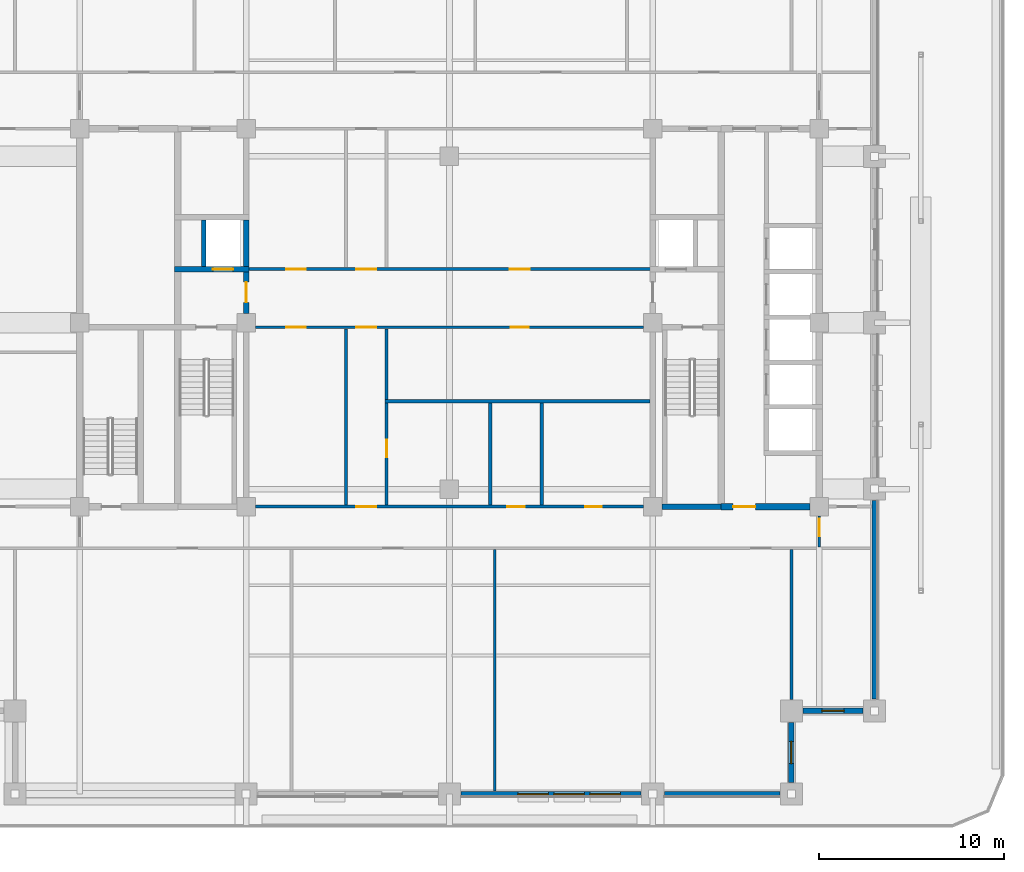
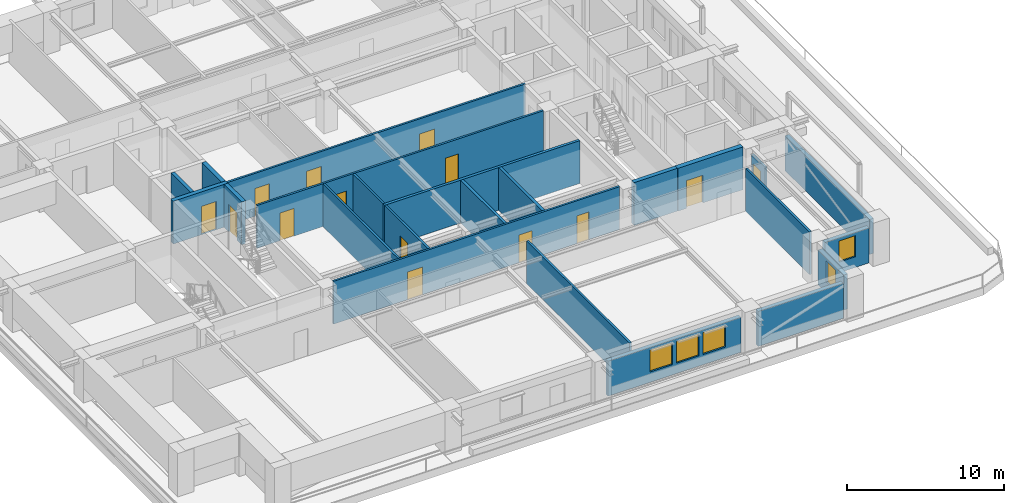
# One storey, part 6 of 17: 23 walls, 14 doors, 5 windows, 19 openings.
"""IFC4 building model written with IfcOpenShell, lengths in metres."""

from ifc_helpers import new_model, si_unit, direction, frame, frame_2d, origin, place, context, subcontext, project, spatial, rectangle, extrude, material, layer, layer_set, type_object, element, fill, save


model = new_model("IFC4")

# Units and contexts
model_context = context("Model", 3, precision=1e-05, world=origin(), true_north=direction((0.0, 1.0)))
body_context = subcontext(model_context, "Body", "Model", "MODEL_VIEW")
ifc_project = project(units=[si_unit("LENGTHUNIT", "METRE"), si_unit("AREAUNIT", "SQUARE_METRE"), si_unit("VOLUMEUNIT", "CUBIC_METRE"), si_unit("PLANEANGLEUNIT", "RADIAN"), si_unit("MASSUNIT", "GRAM", prefix="KILO")], contexts=[model_context])

# Site, building, storey
site_placement = place(None, origin())
site = spatial("IfcSite", under=ifc_project, at=site_placement, CompositionType="ELEMENT")
building_placement = place(site_placement, origin())
building = spatial("IfcBuilding", under=site, at=building_placement, Name="Zulmaris Gate Convention Tower", CompositionType="ELEMENT")
storey_placement = place(building_placement, frame((0.0, 0.0, 121.349853515625)))
storey = spatial("IfcBuildingStorey", under=building, at=storey_placement, Name="L30", CompositionType="ELEMENT", Elevation=121.349853515625)

# Walls
ifc_material_1 = material(Name="Concrete C50/60", Category="concrete")
ifc_layer_1 = layer(ifc_material_1, 0.25, Name="Concrete C50/60")
ifc_layer_set_1 = layer_set([ifc_layer_1], Name="Concrete C50/60")
wall_type_1 = type_object("IfcWallType", Name="CORE-250", PredefinedType="SOLIDWALL", material=ifc_layer_set_1)
wall_1_placement = place(storey_placement, frame((-13.300048828125, 3.052001953125, 0.0), z_axis=(0.0, 0.0, 1.0), x_axis=(0.0, 1.0, 0.0)))
element("IfcWall", 1, at=wall_1_placement, inside=storey, type_object=wall_type_1, Name="WL-L30-040", PredefinedType="SOLIDWALL", context=body_context, shape_type="SweptSolid", body=[
    extrude(rectangle(XDim=2.49609375, YDim=0.25, at=frame_2d((1.248046875, 0.0))), origin(), (0.0, 0.0, 1.0), 3.320068359375),
])
ifc_layer_2 = layer(ifc_material_1, 0.300048828125, Name="Concrete C50/60")
ifc_layer_set_2 = layer_set([ifc_layer_2], Name="Concrete C50/60")
wall_type_2 = type_object("IfcWallType", Name="CORE-300", PredefinedType="SHEAR", material=ifc_layer_set_2)
wall_2_placement = place(storey_placement, frame((11.50390625, -9.949951171875, 0.0), z_axis=(0.0, 0.0, 1.0), x_axis=(1.0, 0.0, 0.0)))
element("IfcWall", 2, at=wall_2_placement, inside=storey, type_object=wall_type_2, Name="WL-L30-003", PredefinedType="SHEAR", context=body_context, shape_type="SweptSolid", body=[
    extrude(rectangle(XDim=3.196044921875, YDim=0.300048828125, at=frame_2d((1.59814453125, 0.0))), origin(), (0.0, 0.0, 1.0), 3.320068359375),
])

# Wall, opening, door
wall_3_placement = place(storey_placement, frame((-14.875, 2.89990234375, 0.0), z_axis=(0.0, 0.0, 1.0), x_axis=(1.0, 0.0, 0.0)))
wall_3 = element("IfcWall", 3, at=wall_3_placement, inside=storey, type_object=wall_type_2, Name="WL-L30-012", PredefinedType="SHEAR", context=body_context, shape_type="SweptSolid", body=[
    extrude(rectangle(XDim=4.02490234375, YDim=0.300048828125, at=frame_2d((2.012451171875, 0.0))), origin(), (0.0, 0.0, 1.0), 3.320068359375),
])
opening_1_placement = place(wall_3_placement, frame((2.074951171875, 0.0, 0.0)))
opening_1 = element("IfcOpeningElement", 4, at=opening_1_placement, cuts=wall_3, Name="Opening D-06", PredefinedType="OPENING", context=body_context, shape_type="SweptSolid", body=[
    extrude(rectangle(XDim=1.10009765625, YDim=2.199951171875, at=frame_2d((0.550048828125, 1.10009765625))), frame((0.0, 0.16015625, 0.0), z_axis=(0.0, -1.0, 0.0), x_axis=(1.0, 0.0, 0.0)), (0.0, 0.0, 1.0), 0.320068359375),
])
ifc_material_2 = material(Name="Brushed Stainless Steel", Category="steel")
door_type_1 = type_object("IfcDoorType", Name="LD-1100", OperationType="NOTDEFINED", PredefinedType="DOOR", material=ifc_material_2)
door_1_placement = place(opening_1_placement, origin())
door_1 = element("IfcDoor", 5, at=door_1_placement, inside=storey, type_object=door_type_1, Name="L30 Lift Landing Door LF-01 03", OperationType="SLIDING_TO_LEFT", OverallHeight=2.199951171875, OverallWidth=1.10009765625, PredefinedType="DOOR", context=body_context, shape_type="SweptSolid", body=[
    extrude(rectangle(XDim=1.10009765625, YDim=2.199951171875, at=frame_2d((0.550048828125, 1.10009765625))), frame((0.0, 0.02490234375, 0.0), z_axis=(0.0, -1.0, 0.0), x_axis=(1.0, 0.0, 0.0)), (0.0, 0.0, 1.0), 0.050048828125),
])
fill(opening_1, door_1)

wall_4_placement = place(storey_placement, frame((-11.0, 0.50390625, 0.0), z_axis=(0.0, 0.0, 1.0), x_axis=(0.0, 1.0, 0.0)))
wall_4 = element("IfcWall", 6, at=wall_4_placement, inside=storey, type_object=wall_type_2, Name="WL-L30-043", PredefinedType="SHEAR", context=body_context, shape_type="SweptSolid", body=[
    extrude(rectangle(XDim=2.244140625, YDim=0.300048828125, at=frame_2d((1.1220703125, 0.0))), origin(), (0.0, 0.0, 1.0), 3.320068359375),
])
opening_2_placement = place(wall_4_placement, frame((0.595947265625, 0.0, 0.0)))
opening_2 = element("IfcOpeningElement", 7, at=opening_2_placement, cuts=wall_4, Name="Opening D-08", PredefinedType="OPENING", context=body_context, shape_type="SweptSolid", body=[
    extrude(rectangle(XDim=1.10009765625, YDim=2.14990234375, at=frame_2d((0.550048828125, 1.074951171875))), frame((0.0, 0.16015625, 0.0), z_axis=(0.0, -1.0, 0.0), x_axis=(1.0, 0.0, 0.0)), (0.0, 0.0, 1.0), 0.320068359375),
])
ifc_material_3 = material(Name="Fire-Rated Steel", Category="steel")
door_type_2 = type_object("IfcDoorType", Name="DR-1100-FD", OperationType="NOTDEFINED", PredefinedType="DOOR", material=ifc_material_3)
door_2_placement = place(opening_2_placement, origin())
door_2 = element("IfcDoor", 8, at=door_2_placement, inside=storey, type_object=door_type_2, Name="L30 West Firefighting Lobby Door 02", OperationType="SINGLE_SWING_RIGHT", OverallHeight=2.14990234375, OverallWidth=1.10009765625, PredefinedType="DOOR", context=body_context, shape_type="SweptSolid", body=[
    extrude(rectangle(XDim=1.10009765625, YDim=2.14990234375, at=frame_2d((0.550048828125, 1.074951171875))), frame((0.0, 0.02490234375, 0.0), z_axis=(0.0, -1.0, 0.0), x_axis=(1.0, 0.0, 0.0)), (0.0, 0.0, 1.0), 0.050048828125),
])
fill(opening_2, door_2)

# Wall
wall_5_placement = place(storey_placement, frame((-11.0, 3.052001953125, 0.0), z_axis=(0.0, 0.0, 1.0), x_axis=(0.0, 1.0, 0.0)))
element("IfcWall", 9, at=wall_5_placement, inside=storey, type_object=wall_type_2, Name="WL-L30-044", PredefinedType="SHEAR", context=body_context, shape_type="SweptSolid", body=[
    extrude(rectangle(XDim=2.49609375, YDim=0.300048828125, at=frame_2d((1.248046875, 0.0))), origin(), (0.0, 0.0, 1.0), 3.320068359375),
])

# Wall, opening, door
ifc_material_4 = material(Name="Concrete C55/67", Category="concrete")
ifc_layer_3 = layer(ifc_material_4, 0.35009765625, Name="Concrete C55/67")
ifc_layer_set_3 = layer_set([ifc_layer_3], Name="Concrete C55/67")
wall_type_3 = type_object("IfcWallType", Name="CORE-350", PredefinedType="SHEAR", material=ifc_layer_set_3)
wall_6_placement = place(storey_placement, frame((14.699951171875, -9.949951171875, 0.0), z_axis=(0.0, 0.0, 1.0), x_axis=(1.0, 0.0, 0.0)))
wall_6 = element("IfcWall", 10, at=wall_6_placement, inside=storey, type_object=wall_type_3, Name="WL-L30-004", PredefinedType="SHEAR", context=body_context, shape_type="SweptSolid", body=[
    extrude(rectangle(XDim=4.796142578125, YDim=0.35009765625, at=frame_2d((2.39794921875, 0.0))), origin(), (0.0, 0.0, 1.0), 3.320068359375),
])
opening_3_placement = place(wall_6_placement, frame((0.64990234375, 0.0, 0.0)))
opening_3 = element("IfcOpeningElement", 11, at=opening_3_placement, cuts=wall_6, Name="Opening D-13", PredefinedType="OPENING", context=body_context, shape_type="SweptSolid", body=[
    extrude(rectangle(XDim=1.199951171875, YDim=2.14990234375, at=frame_2d((0.60009765625, 1.074951171875))), frame((0.0, 0.18505859375, 0.0), z_axis=(0.0, -1.0, 0.0), x_axis=(1.0, 0.0, 0.0)), (0.0, 0.0, 1.0), 0.3701171875),
])
door_type_3 = type_object("IfcDoorType", Name="DR-1200-FD", OperationType="NOTDEFINED", PredefinedType="DOOR", material=ifc_material_3)
door_3_placement = place(opening_3_placement, origin())
door_3 = element("IfcDoor", 12, at=door_3_placement, inside=storey, type_object=door_type_3, Name="L30 East Lift Lobby South Door 15", OperationType="SINGLE_SWING_LEFT", OverallHeight=2.14990234375, OverallWidth=1.199951171875, PredefinedType="DOOR", context=body_context, shape_type="SweptSolid", body=[
    extrude(rectangle(XDim=1.199951171875, YDim=2.14990234375, at=frame_2d((0.60009765625, 1.074951171875))), frame((0.0, 0.02490234375, 0.0), z_axis=(0.0, -1.0, 0.0), x_axis=(1.0, 0.0, 0.0)), (0.0, 0.0, 1.0), 0.050048828125),
])
fill(opening_3, door_3)

# Wall, openings, doors
ifc_material_5 = material(Name="Gypsum Metal Stud Partition")
ifc_layer_4 = layer(ifc_material_5, 0.14990234375, Name="Gypsum Metal Stud Partition")
ifc_layer_set_4 = layer_set([ifc_layer_4], Name="Gypsum Metal Stud Partition")
wall_type_4 = type_object("IfcWallType", Name="PART-150", PredefinedType="PARTITIONING", material=ifc_layer_set_4)
wall_7_placement = place(storey_placement, frame((-10.493896484375, -9.949951171875, 0.0), z_axis=(0.0, 0.0, 1.0), x_axis=(1.0, 0.0, 0.0)))
wall_7 = element("IfcWall", 13, at=wall_7_placement, inside=storey, type_object=wall_type_4, Name="WL-L30-023", PredefinedType="PARTITIONING", context=body_context, shape_type="SweptSolid", body=[
    extrude(rectangle(XDim=20.98779296875, YDim=0.14990234375, at=frame_2d((10.493896484375, 0.0))), origin(), (0.0, 0.0, 1.0), 3.320068359375),
])
opening_4_placement = place(wall_7_placement, frame((5.444091796875, 0.0, 0.0)))
opening_4 = element("IfcOpeningElement", 14, at=opening_4_placement, cuts=wall_7, Name="Opening D-08", PredefinedType="OPENING", context=body_context, shape_type="SweptSolid", body=[
    extrude(rectangle(XDim=1.10009765625, YDim=2.14990234375, at=frame_2d((0.550048828125, 1.074951171875))), frame((0.0, 0.0849609375, 0.0), z_axis=(0.0, -1.0, 0.0), x_axis=(1.0, 0.0, 0.0)), (0.0, 0.0, 1.0), 0.169921875),
])
opening_5_placement = place(wall_7_placement, frame((13.618896484375, 0.0, 0.0)))
opening_5 = element("IfcOpeningElement", 15, at=opening_5_placement, cuts=wall_7, Name="Opening D-11", PredefinedType="OPENING", context=body_context, shape_type="SweptSolid", body=[
    extrude(rectangle(XDim=0.949951171875, YDim=2.14990234375, at=frame_2d((0.47509765625, 1.074951171875))), frame((0.0, 0.0849609375, 0.0), z_axis=(0.0, -1.0, 0.0), x_axis=(1.0, 0.0, 0.0)), (0.0, 0.0, 1.0), 0.169921875),
])
opening_6_placement = place(wall_7_placement, frame((17.843994140625, 0.0, 0.0)))
opening_6 = element("IfcOpeningElement", 16, at=opening_6_placement, cuts=wall_7, Name="Opening D-12", PredefinedType="OPENING", context=body_context, shape_type="SweptSolid", body=[
    extrude(rectangle(XDim=0.89990234375, YDim=2.14990234375, at=frame_2d((0.449951171875, 1.074951171875))), frame((0.0, 0.0849609375, 0.0), z_axis=(0.0, -1.0, 0.0), x_axis=(1.0, 0.0, 0.0)), (0.0, 0.0, 1.0), 0.169921875),
])
door_4_placement = place(opening_4_placement, origin())
door_4 = element("IfcDoor", 17, at=door_4_placement, inside=storey, type_object=door_type_2, Name="L30 South Gallery Link Door 19", OperationType="SINGLE_SWING_LEFT", OverallHeight=2.14990234375, OverallWidth=1.10009765625, PredefinedType="DOOR", context=body_context, shape_type="SweptSolid", body=[
    extrude(rectangle(XDim=1.10009765625, YDim=2.14990234375, at=frame_2d((0.550048828125, 1.074951171875))), frame((0.0, 0.02490234375, 0.0), z_axis=(0.0, -1.0, 0.0), x_axis=(1.0, 0.0, 0.0)), (0.0, 0.0, 1.0), 0.050048828125),
])
fill(opening_4, door_4)
ifc_material_6 = material(Name="Fire-Rated Timber", Category="wood")
door_type_4 = type_object("IfcDoorType", Name="DR-900-FD", OperationType="NOTDEFINED", PredefinedType="DOOR", material=ifc_material_6)
door_5_placement = place(opening_6_placement, origin())
door_5 = element("IfcDoor", 18, at=door_5_placement, inside=storey, type_object=door_type_4, Name="L30 Reprographics Office Door 36", OperationType="SINGLE_SWING_RIGHT", OverallHeight=2.14990234375, OverallWidth=0.89990234375, PredefinedType="DOOR", context=body_context, shape_type="SweptSolid", body=[
    extrude(rectangle(XDim=0.89990234375, YDim=2.14990234375, at=frame_2d((0.449951171875, 1.074951171875))), frame((0.0, 0.02490234375, 0.0), z_axis=(0.0, -1.0, 0.0), x_axis=(1.0, 0.0, 0.0)), (0.0, 0.0, 1.0), 0.050048828125),
])
fill(opening_6, door_5)
door_type_5 = type_object("IfcDoorType", Name="DR-950-FD", OperationType="NOTDEFINED", PredefinedType="DOOR", material=ifc_material_6)
door_6_placement = place(opening_5_placement, origin())
door_6 = element("IfcDoor", 19, at=door_6_placement, inside=storey, type_object=door_type_5, Name="L30 Accessible WC Door 35", OperationType="SINGLE_SWING_LEFT", OverallHeight=2.14990234375, OverallWidth=0.949951171875, PredefinedType="DOOR", context=body_context, shape_type="SweptSolid", body=[
    extrude(rectangle(XDim=0.949951171875, YDim=2.14990234375, at=frame_2d((0.47509765625, 1.074951171875))), frame((0.0, 0.02490234375, 0.0), z_axis=(0.0, -1.0, 0.0), x_axis=(1.0, 0.0, 0.0)), (0.0, 0.0, 1.0), 0.050048828125),
])
fill(opening_5, door_6)

wall_8_placement = place(storey_placement, frame((-10.493896484375, -0.25, 0.0), z_axis=(0.0, 0.0, 1.0), x_axis=(1.0, 0.0, 0.0)))
wall_8 = element("IfcWall", 20, at=wall_8_placement, inside=storey, type_object=wall_type_4, Name="WL-L30-027", PredefinedType="PARTITIONING", context=body_context, shape_type="SweptSolid", body=[
    extrude(rectangle(XDim=20.98779296875, YDim=0.14990234375, at=frame_2d((10.493896484375, 0.0))), origin(), (0.0, 0.0, 1.0), 3.320068359375),
])
opening_7_placement = place(wall_8_placement, frame((5.444091796875, 0.0, 0.0)))
opening_7 = element("IfcOpeningElement", 21, at=opening_7_placement, cuts=wall_8, Name="Opening D-08", PredefinedType="OPENING", context=body_context, shape_type="SweptSolid", body=[
    extrude(rectangle(XDim=1.10009765625, YDim=2.14990234375, at=frame_2d((0.550048828125, 1.074951171875))), frame((0.0, 0.0849609375, 0.0), z_axis=(0.0, -1.0, 0.0), x_axis=(1.0, 0.0, 0.0)), (0.0, 0.0, 1.0), 0.169921875),
])
opening_8_placement = place(wall_8_placement, frame((1.6689453125, 0.0, 0.0)))
opening_8 = element("IfcOpeningElement", 22, at=opening_8_placement, cuts=wall_8, Name="Opening D-09", PredefinedType="OPENING", context=body_context, shape_type="SweptSolid", body=[
    extrude(rectangle(XDim=1.050048828125, YDim=2.14990234375, at=frame_2d((0.52490234375, 1.074951171875))), frame((0.0, 0.0849609375, 0.0), z_axis=(0.0, -1.0, 0.0), x_axis=(1.0, 0.0, 0.0)), (0.0, 0.0, 1.0), 0.169921875),
])
opening_9_placement = place(wall_8_placement, frame((13.819091796875, 0.0, 0.0)))
opening_9 = element("IfcOpeningElement", 23, at=opening_9_placement, cuts=wall_8, Name="Opening D-11", PredefinedType="OPENING", context=body_context, shape_type="SweptSolid", body=[
    extrude(rectangle(XDim=0.949951171875, YDim=2.14990234375, at=frame_2d((0.47509765625, 1.074951171875))), frame((0.0, 0.0849609375, 0.0), z_axis=(0.0, -1.0, 0.0), x_axis=(1.0, 0.0, 0.0)), (0.0, 0.0, 1.0), 0.169921875),
])
door_type_6 = type_object("IfcDoorType", Name="DR-1050-FD", OperationType="NOTDEFINED", PredefinedType="DOOR", material=ifc_material_3)
door_7_placement = place(opening_8_placement, origin())
door_7 = element("IfcDoor", 24, at=door_7_placement, inside=storey, type_object=door_type_6, Name="L30 Sky Library Door 32", OperationType="SINGLE_SWING_RIGHT", OverallHeight=2.14990234375, OverallWidth=1.050048828125, PredefinedType="DOOR", context=body_context, shape_type="SweptSolid", body=[
    extrude(rectangle(XDim=1.050048828125, YDim=2.14990234375, at=frame_2d((0.52490234375, 1.074951171875))), frame((0.0, 0.02490234375, 0.0), z_axis=(0.0, -1.0, 0.0), x_axis=(1.0, 0.0, 0.0)), (0.0, 0.0, 1.0), 0.050048828125),
])
fill(opening_8, door_7)
door_8_placement = place(opening_7_placement, origin())
door_8 = element("IfcDoor", 25, at=door_8_placement, inside=storey, type_object=door_type_2, Name="L30 Cross Spine South Door 21", OperationType="SINGLE_SWING_LEFT", OverallHeight=2.14990234375, OverallWidth=1.10009765625, PredefinedType="DOOR", context=body_context, shape_type="SweptSolid", body=[
    extrude(rectangle(XDim=1.10009765625, YDim=2.14990234375, at=frame_2d((0.550048828125, 1.074951171875))), frame((0.0, 0.02490234375, 0.0), z_axis=(0.0, -1.0, 0.0), x_axis=(1.0, 0.0, 0.0)), (0.0, 0.0, 1.0), 0.050048828125),
])
fill(opening_7, door_8)
door_9_placement = place(opening_9_placement, origin())
door_9 = element("IfcDoor", 26, at=door_9_placement, inside=storey, type_object=door_type_5, Name="L30 Public WC Door 33", OperationType="SINGLE_SWING_LEFT", OverallHeight=2.14990234375, OverallWidth=0.949951171875, PredefinedType="DOOR", context=body_context, shape_type="SweptSolid", body=[
    extrude(rectangle(XDim=0.949951171875, YDim=2.14990234375, at=frame_2d((0.47509765625, 1.074951171875))), frame((0.0, 0.02490234375, 0.0), z_axis=(0.0, -1.0, 0.0), x_axis=(1.0, 0.0, 0.0)), (0.0, 0.0, 1.0), 0.050048828125),
])
fill(opening_9, door_9)

wall_9_placement = place(storey_placement, frame((-11.0, 2.89990234375, 0.0), z_axis=(0.0, 0.0, 1.0), x_axis=(1.0, 0.0, 0.0)))
wall_9 = element("IfcWall", 27, at=wall_9_placement, inside=storey, type_object=wall_type_4, Name="WL-L30-028", PredefinedType="PARTITIONING", context=body_context, shape_type="SweptSolid", body=[
    extrude(rectangle(XDim=22.0, YDim=0.14990234375, at=frame_2d((11.0, 0.0))), origin(), (0.0, 0.0, 1.0), 3.320068359375),
])
opening_10_placement = place(wall_9_placement, frame((5.949951171875, 0.0, 0.0)))
opening_10 = element("IfcOpeningElement", 28, at=opening_10_placement, cuts=wall_9, Name="Opening D-08", PredefinedType="OPENING", context=body_context, shape_type="SweptSolid", body=[
    extrude(rectangle(XDim=1.10009765625, YDim=2.14990234375, at=frame_2d((0.550048828125, 1.074951171875))), frame((0.0, 0.0849609375, 0.0), z_axis=(0.0, -1.0, 0.0), x_axis=(1.0, 0.0, 0.0)), (0.0, 0.0, 1.0), 0.169921875),
])
opening_11_placement = place(wall_9_placement, frame((2.175048828125, 0.0, 0.0)))
opening_11 = element("IfcOpeningElement", 29, at=opening_11_placement, cuts=wall_9, Name="Opening D-09", PredefinedType="OPENING", context=body_context, shape_type="SweptSolid", body=[
    extrude(rectangle(XDim=1.050048828125, YDim=2.14990234375, at=frame_2d((0.52490234375, 1.074951171875))), frame((0.0, 0.0849609375, 0.0), z_axis=(0.0, -1.0, 0.0), x_axis=(1.0, 0.0, 0.0)), (0.0, 0.0, 1.0), 0.169921875),
])
opening_12_placement = place(wall_9_placement, frame((14.25, 0.0, 0.0)))
opening_12 = element("IfcOpeningElement", 30, at=opening_12_placement, cuts=wall_9, Name="Opening D-08", PredefinedType="OPENING", context=body_context, shape_type="SweptSolid", body=[
    extrude(rectangle(XDim=1.10009765625, YDim=2.14990234375, at=frame_2d((0.550048828125, 1.074951171875))), frame((0.0, 0.0849609375, 0.0), z_axis=(0.0, -1.0, 0.0), x_axis=(1.0, 0.0, 0.0)), (0.0, 0.0, 1.0), 0.169921875),
])
door_10_placement = place(opening_11_placement, origin())
door_10 = element("IfcDoor", 31, at=door_10_placement, inside=storey, type_object=door_type_6, Name="L30 Reception Door 30", OperationType="SINGLE_SWING_RIGHT", OverallHeight=2.14990234375, OverallWidth=1.050048828125, PredefinedType="DOOR", context=body_context, shape_type="SweptSolid", body=[
    extrude(rectangle(XDim=1.050048828125, YDim=2.14990234375, at=frame_2d((0.52490234375, 1.074951171875))), frame((0.0, 0.02490234375, 0.0), z_axis=(0.0, -1.0, 0.0), x_axis=(1.0, 0.0, 0.0)), (0.0, 0.0, 1.0), 0.050048828125),
])
fill(opening_11, door_10)
door_11_placement = place(opening_10_placement, origin())
door_11 = element("IfcDoor", 32, at=door_11_placement, inside=storey, type_object=door_type_2, Name="L30 Cross Spine North Door 20", OperationType="SINGLE_SWING_RIGHT", OverallHeight=2.14990234375, OverallWidth=1.10009765625, PredefinedType="DOOR", context=body_context, shape_type="SweptSolid", body=[
    extrude(rectangle(XDim=1.10009765625, YDim=2.14990234375, at=frame_2d((0.550048828125, 1.074951171875))), frame((0.0, 0.02490234375, 0.0), z_axis=(0.0, -1.0, 0.0), x_axis=(1.0, 0.0, 0.0)), (0.0, 0.0, 1.0), 0.050048828125),
])
fill(opening_10, door_11)
door_12_placement = place(opening_12_placement, origin())
door_12 = element("IfcDoor", 33, at=door_12_placement, inside=storey, type_object=door_type_2, Name="L30 Townhall Forum Door 31", OperationType="SINGLE_SWING_LEFT", OverallHeight=2.14990234375, OverallWidth=1.10009765625, PredefinedType="DOOR", context=body_context, shape_type="SweptSolid", body=[
    extrude(rectangle(XDim=1.10009765625, YDim=2.14990234375, at=frame_2d((0.550048828125, 1.074951171875))), frame((0.0, 0.02490234375, 0.0), z_axis=(0.0, -1.0, 0.0), x_axis=(1.0, 0.0, 0.0)), (0.0, 0.0, 1.0), 0.050048828125),
])
fill(opening_12, door_12)

# Wall
wall_10_placement = place(storey_placement, frame((-5.60009765625, -9.8720703125, 0.0), z_axis=(0.0, 0.0, 1.0), x_axis=(0.0, 1.0, 0.0)))
element("IfcWall", 34, at=wall_10_placement, inside=storey, type_object=wall_type_4, Name="WL-L30-075", PredefinedType="PARTITIONING", context=body_context, shape_type="SweptSolid", body=[
    extrude(rectangle(XDim=9.544189453125, YDim=0.14990234375, at=frame_2d((4.77197265625, 0.0))), origin(), (0.0, 0.0, 1.0), 3.320068359375),
])

# Wall, opening, door
wall_11_placement = place(storey_placement, frame((-3.39990234375, -9.8720703125, 0.0), z_axis=(0.0, 0.0, 1.0), x_axis=(0.0, 1.0, 0.0)))
wall_11 = element("IfcWall", 35, at=wall_11_placement, inside=storey, type_object=wall_type_4, Name="WL-L30-077", PredefinedType="PARTITIONING", context=body_context, shape_type="SweptSolid", body=[
    extrude(rectangle(XDim=5.51904296875, YDim=0.14990234375, at=frame_2d((2.759521484375, 0.0))), origin(), (0.0, 0.0, 1.0), 3.320068359375),
])
opening_13_placement = place(wall_11_placement, frame((2.596923828125, 0.0, 0.0)))
opening_13 = element("IfcOpeningElement", 36, at=opening_13_placement, cuts=wall_11, Name="Opening D-11", PredefinedType="OPENING", context=body_context, shape_type="SweptSolid", body=[
    extrude(rectangle(XDim=0.949951171875, YDim=2.14990234375, at=frame_2d((0.47509765625, 1.074951171875))), frame((0.0, 0.0849609375, 0.0), z_axis=(0.0, -1.0, 0.0), x_axis=(1.0, 0.0, 0.0)), (0.0, 0.0, 1.0), 0.169921875),
])
door_13_placement = place(opening_13_placement, origin())
door_13 = element("IfcDoor", 37, at=door_13_placement, inside=storey, type_object=door_type_5, Name="L30 Hygiene Supply Door 34", OperationType="SINGLE_SWING_RIGHT", OverallHeight=2.14990234375, OverallWidth=0.949951171875, PredefinedType="DOOR", context=body_context, shape_type="SweptSolid", body=[
    extrude(rectangle(XDim=0.949951171875, YDim=2.14990234375, at=frame_2d((0.47509765625, 1.074951171875))), frame((0.0, 0.02490234375, 0.0), z_axis=(0.0, -1.0, 0.0), x_axis=(1.0, 0.0, 0.0)), (0.0, 0.0, 1.0), 0.050048828125),
])
fill(opening_13, door_13)

# Walls
wall_12_placement = place(storey_placement, frame((-3.39990234375, -4.14697265625, 0.0), z_axis=(0.0, 0.0, 1.0), x_axis=(0.0, 1.0, 0.0)))
element("IfcWall", 38, at=wall_12_placement, inside=storey, type_object=wall_type_4, Name="WL-L30-078", PredefinedType="PARTITIONING", context=body_context, shape_type="SweptSolid", body=[
    extrude(rectangle(XDim=3.819091796875, YDim=0.14990234375, at=frame_2d((1.90966796875, 0.0))), origin(), (0.0, 0.0, 1.0), 3.320068359375),
])
wall_13_placement = place(storey_placement, frame((2.449951171875, -25.3349609375, 0.0), z_axis=(0.0, 0.0, 1.0), x_axis=(0.0, 1.0, 0.0)))
element("IfcWall", 39, at=wall_13_placement, inside=storey, type_object=wall_type_4, Name="WL-L30-082", PredefinedType="PARTITIONING", context=body_context, shape_type="SweptSolid", body=[
    extrude(rectangle(XDim=13.056884765625, YDim=0.14990234375, at=frame_2d((6.5283203125, 0.0))), origin(), (0.0, 0.0, 1.0), 3.320068359375),
])
wall_14_placement = place(storey_placement, frame((18.5, -20.39404296875, 0.0), z_axis=(0.0, 0.0, 1.0), x_axis=(0.0, 1.0, 0.0)))
element("IfcWall", 40, at=wall_14_placement, inside=storey, type_object=wall_type_4, Name="WL-L30-086", PredefinedType="PARTITIONING", context=body_context, shape_type="SweptSolid", body=[
    extrude(rectangle(XDim=8.115966796875, YDim=0.14990234375, at=frame_2d((4.05810546875, 0.0))), origin(), (0.0, 0.0, 1.0), 3.320068359375),
])

# Wall, opening, door
wall_15_placement = place(storey_placement, frame((20.0, -12.1220703125, 0.0), z_axis=(0.0, 0.0, 1.0), x_axis=(0.0, 1.0, 0.0)))
wall_15 = element("IfcWall", 41, at=wall_15_placement, inside=storey, type_object=wall_type_4, Name="WL-L30-088", PredefinedType="PARTITIONING", context=body_context, shape_type="SweptSolid", body=[
    extrude(rectangle(XDim=1.666015625, YDim=0.14990234375, at=frame_2d((0.8330078125, 0.0))), origin(), (0.0, 0.0, 1.0), 2.81005859375),
])
opening_14_placement = place(wall_15_placement, frame((0.56591796875, 0.0, 0.0)))
opening_14 = element("IfcOpeningElement", 42, at=opening_14_placement, cuts=wall_15, Name="Opening D-11", PredefinedType="OPENING", context=body_context, shape_type="SweptSolid", body=[
    extrude(rectangle(XDim=0.949951171875, YDim=2.14990234375, at=frame_2d((0.47509765625, 1.074951171875))), frame((0.0, 0.0849609375, 0.0), z_axis=(0.0, -1.0, 0.0), x_axis=(1.0, 0.0, 0.0)), (0.0, 0.0, 1.0), 0.169921875),
])
door_14_placement = place(opening_14_placement, origin())
door_14 = element("IfcDoor", 43, at=door_14_placement, inside=storey, type_object=door_type_5, Name="L30 SE Spur Door 42", OperationType="SINGLE_SWING_RIGHT", OverallHeight=2.14990234375, OverallWidth=0.949951171875, PredefinedType="DOOR", context=body_context, shape_type="SweptSolid", body=[
    extrude(rectangle(XDim=0.949951171875, YDim=2.14990234375, at=frame_2d((0.47509765625, 1.074951171875))), frame((0.0, 0.02490234375, 0.0), z_axis=(0.0, -1.0, 0.0), x_axis=(1.0, 0.0, 0.0)), (0.0, 0.0, 1.0), 0.050048828125),
])
fill(opening_14, door_14)

# Walls
ifc_material_7 = material(Name="Autoclaved Aerated Concrete Block and Plasterboard", Category="concrete")
ifc_layer_5 = layer(ifc_material_7, 0.199951171875, Name="Autoclaved Aerated Concrete Block and Plasterboard")
ifc_layer_set_5 = layer_set([ifc_layer_5], Name="Autoclaved Aerated Concrete Block and Plasterboard")
wall_type_5 = type_object("IfcWallType", Name="PART-200", PredefinedType="PARTITIONING", material=ifc_layer_set_5)
wall_16_placement = place(storey_placement, frame((-3.47509765625, -4.25, 0.0), z_axis=(0.0, 0.0, 1.0), x_axis=(1.0, 0.0, 0.0)))
element("IfcWall", 44, at=wall_16_placement, inside=storey, type_object=wall_type_5, Name="WL-L30-025", PredefinedType="PARTITIONING", context=body_context, shape_type="SweptSolid", body=[
    extrude(rectangle(XDim=14.322021484375, YDim=0.199951171875, at=frame_2d((7.1611328125, 0.0))), origin(), (0.0, 0.0, 1.0), 3.320068359375),
])
for number, where, z_axis, x_axis, name in (
    (45, (2.199951171875, -9.8720703125, 0.0), (0.0, 0.0, 1.0), (0.0, 1.0, 0.0), "WL-L30-081"),
    (46, (5.0, -9.8720703125, 0.0), (0.0, 0.0, 1.0), (0.0, 1.0, 0.0), "WL-L30-083"),
):
    element("IfcWall", number, at=place(storey_placement, frame(where, z_axis=z_axis, x_axis=x_axis)), inside=storey, type_object=wall_type_5, Name=name, PredefinedType="PARTITIONING", context=body_context, shape_type="SweptSolid", body=[
        extrude(rectangle(XDim=5.51904296875, YDim=0.199951171875, at=frame_2d((2.759521484375, 0.0))), origin(), (0.0, 0.0, 1.0), 3.320068359375),
    ])

# Wall, opening, window
ifc_material_8 = material(Name="Precast concrete C40/50", Category="concrete")
ifc_layer_6 = layer(ifc_material_8, 0.300048828125, Name="Precast concrete C40/50")
ifc_layer_set_6 = layer_set([ifc_layer_6], Name="Precast concrete C40/50")
wall_type_6 = type_object("IfcWallType", Name="PRECAST-PIER-300", PredefinedType="STANDARD", material=ifc_layer_set_6)
wall_17_placement = place(storey_placement, frame((18.5, -24.8701171875, 0.0), z_axis=(0.0, 0.0, 1.0), x_axis=(0.0, 1.0, 0.0)))
wall_17 = element("IfcWall", 47, at=wall_17_placement, inside=storey, type_object=wall_type_6, Name="EW-L30-NOTCH-SE1_0", PredefinedType="STANDARD", context=body_context, shape_type="SweptSolid", body=[
    extrude(rectangle(XDim=3.240234375, YDim=0.300048828125, at=frame_2d((1.6201171875, 0.0))), origin(), (0.0, 0.0, 1.0), 2.712158203125),
])
opening_15_placement = place(wall_17_placement, frame((1.02001953125, 0.0, 0.820068359375)))
opening_15 = element("IfcOpeningElement", 48, at=opening_15_placement, cuts=wall_17, Name="Opening W-04", PredefinedType="OPENING", context=body_context, shape_type="SweptSolid", body=[
    extrude(rectangle(XDim=1.199951171875, YDim=1.64990234375, at=frame_2d((0.60009765625, 0.824951171875))), frame((0.0, 0.16015625, 0.0), z_axis=(0.0, -1.0, 0.0), x_axis=(1.0, 0.0, 0.0)), (0.0, 0.0, 1.0), 0.320068359375),
])
ifc_material_9 = material(Name="Low-E Laminated Double Glazing in Aluminium Frame", Category="aluminium")
window_type_1 = type_object("IfcWindowType", Name="WIN-1200x2100", PartitioningType="SINGLE_PANEL", PredefinedType="WINDOW", material=ifc_material_9)
window_1_placement = place(opening_15_placement, origin())
window_1 = element("IfcWindow", 49, at=window_1_placement, inside=storey, type_object=window_type_1, Name="WN-EW-L30-NOTCH-SE1_0", OverallHeight=1.64990234375, OverallWidth=1.199951171875, PartitioningType="SINGLE_PANEL", PredefinedType="WINDOW", context=body_context, shape_type="SweptSolid", body=[
    extrude(rectangle(XDim=1.199951171875, YDim=1.64990234375, at=frame_2d((0.60009765625, 0.824951171875))), frame((0.0, 0.030029296875, 0.0), z_axis=(0.0, -1.0, 0.0), x_axis=(1.0, 0.0, 0.0)), (0.0, 0.0, 1.0), 0.06005859375),
])
fill(opening_15, window_1)

wall_18_placement = place(storey_placement, frame((19.1298828125, -21.0, 0.0), z_axis=(0.0, 0.0, 1.0), x_axis=(1.0, 0.0, 0.0)))
wall_18 = element("IfcWall", 50, at=wall_18_placement, inside=storey, type_object=wall_type_6, Name="EW-L30-NOTCH-SE2_0", PredefinedType="STANDARD", context=body_context, shape_type="SweptSolid", body=[
    extrude(rectangle(XDim=3.240234375, YDim=0.300048828125, at=frame_2d((1.6201171875, 0.0))), origin(), (0.0, 0.0, 1.0), 2.712158203125),
])
opening_16_placement = place(wall_18_placement, frame((1.02001953125, 0.0, 0.820068359375)))
opening_16 = element("IfcOpeningElement", 51, at=opening_16_placement, cuts=wall_18, Name="Opening W-04", PredefinedType="OPENING", context=body_context, shape_type="SweptSolid", body=[
    extrude(rectangle(XDim=1.199951171875, YDim=1.64990234375, at=frame_2d((0.60009765625, 0.824951171875))), frame((0.0, 0.16015625, 0.0), z_axis=(0.0, -1.0, 0.0), x_axis=(1.0, 0.0, 0.0)), (0.0, 0.0, 1.0), 0.320068359375),
])
window_2_placement = place(opening_16_placement, origin())
window_2 = element("IfcWindow", 52, at=window_2_placement, inside=storey, type_object=window_type_1, Name="WN-EW-L30-NOTCH-SE2_0", OverallHeight=1.64990234375, OverallWidth=1.199951171875, PartitioningType="SINGLE_PANEL", PredefinedType="WINDOW", context=body_context, shape_type="SweptSolid", body=[
    extrude(rectangle(XDim=1.199951171875, YDim=1.64990234375, at=frame_2d((0.60009765625, 0.824951171875))), frame((0.0, 0.030029296875, 0.0), z_axis=(0.0, -1.0, 0.0), x_axis=(1.0, 0.0, 0.0)), (0.0, 0.0, 1.0), 0.06005859375),
])
fill(opening_16, window_2)

# Wall, openings, windows
wall_19_placement = place(storey_placement, frame((0.6298828125, -25.5, 0.0), z_axis=(0.0, 0.0, 1.0), x_axis=(1.0, 0.0, 0.0)))
wall_19 = element("IfcWall", 53, at=wall_19_placement, inside=storey, type_object=wall_type_6, Name="EW-L30-S-2_0", PredefinedType="STANDARD", context=body_context, shape_type="SweptSolid", body=[
    extrude(rectangle(XDim=9.740234375, YDim=0.300048828125, at=frame_2d((4.8701171875, 0.0))), origin(), (0.0, 0.0, 1.0), 2.712158203125),
])
opening_17_placement = place(wall_19_placement, frame((3.071044921875, 0.0, 0.800048828125)))
opening_17 = element("IfcOpeningElement", 54, at=opening_17_placement, cuts=wall_19, Name="Opening W-08", PredefinedType="OPENING", context=body_context, shape_type="SweptSolid", body=[
    extrude(rectangle(XDim=1.64990234375, YDim=1.699951171875, at=frame_2d((0.824951171875, 0.85009765625))), frame((0.0, 0.16015625, 0.0), z_axis=(0.0, -1.0, 0.0), x_axis=(1.0, 0.0, 0.0)), (0.0, 0.0, 1.0), 0.320068359375),
])
opening_18_placement = place(wall_19_placement, frame((5.01904296875, 0.0, 0.800048828125)))
opening_18 = element("IfcOpeningElement", 55, at=opening_18_placement, cuts=wall_19, Name="Opening W-08", PredefinedType="OPENING", context=body_context, shape_type="SweptSolid", body=[
    extrude(rectangle(XDim=1.64990234375, YDim=1.699951171875, at=frame_2d((0.824951171875, 0.85009765625))), frame((0.0, 0.16015625, 0.0), z_axis=(0.0, -1.0, 0.0), x_axis=(1.0, 0.0, 0.0)), (0.0, 0.0, 1.0), 0.320068359375),
])
opening_19_placement = place(wall_19_placement, frame((6.967041015625, 0.0, 0.800048828125)))
opening_19 = element("IfcOpeningElement", 56, at=opening_19_placement, cuts=wall_19, Name="Opening W-08", PredefinedType="OPENING", context=body_context, shape_type="SweptSolid", body=[
    extrude(rectangle(XDim=1.64990234375, YDim=1.699951171875, at=frame_2d((0.824951171875, 0.85009765625))), frame((0.0, 0.16015625, 0.0), z_axis=(0.0, -1.0, 0.0), x_axis=(1.0, 0.0, 0.0)), (0.0, 0.0, 1.0), 0.320068359375),
])
window_type_2 = type_object("IfcWindowType", Name="WIN-1650x2150", PartitioningType="SINGLE_PANEL", PredefinedType="WINDOW", material=ifc_material_9)
window_3_placement = place(opening_17_placement, origin())
window_3 = element("IfcWindow", 57, at=window_3_placement, inside=storey, type_object=window_type_2, Name="WN-EW-L30-S-2_0-2", OverallHeight=1.699951171875, OverallWidth=1.64990234375, PartitioningType="SINGLE_PANEL", PredefinedType="WINDOW", context=body_context, shape_type="SweptSolid", body=[
    extrude(rectangle(XDim=1.64990234375, YDim=1.699951171875, at=frame_2d((0.824951171875, 0.85009765625))), frame((0.0, 0.030029296875, 0.0), z_axis=(0.0, -1.0, 0.0), x_axis=(1.0, 0.0, 0.0)), (0.0, 0.0, 1.0), 0.06005859375),
])
fill(opening_17, window_3)
window_4_placement = place(opening_18_placement, origin())
window_4 = element("IfcWindow", 58, at=window_4_placement, inside=storey, type_object=window_type_2, Name="WN-EW-L30-S-2_0-3", OverallHeight=1.699951171875, OverallWidth=1.64990234375, PartitioningType="SINGLE_PANEL", PredefinedType="WINDOW", context=body_context, shape_type="SweptSolid", body=[
    extrude(rectangle(XDim=1.64990234375, YDim=1.699951171875, at=frame_2d((0.824951171875, 0.85009765625))), frame((0.0, 0.030029296875, 0.0), z_axis=(0.0, -1.0, 0.0), x_axis=(1.0, 0.0, 0.0)), (0.0, 0.0, 1.0), 0.06005859375),
])
fill(opening_18, window_4)
window_5_placement = place(opening_19_placement, origin())
window_5 = element("IfcWindow", 59, at=window_5_placement, inside=storey, type_object=window_type_2, Name="WN-EW-L30-S-2_0-4", OverallHeight=1.699951171875, OverallWidth=1.64990234375, PartitioningType="SINGLE_PANEL", PredefinedType="WINDOW", context=body_context, shape_type="SweptSolid", body=[
    extrude(rectangle(XDim=1.64990234375, YDim=1.699951171875, at=frame_2d((0.824951171875, 0.85009765625))), frame((0.0, 0.030029296875, 0.0), z_axis=(0.0, -1.0, 0.0), x_axis=(1.0, 0.0, 0.0)), (0.0, 0.0, 1.0), 0.06005859375),
])
fill(opening_19, window_5)

# Walls
wall_20_placement = place(storey_placement, frame((11.6298828125, -25.5, 0.0), z_axis=(0.0, 0.0, 1.0), x_axis=(1.0, 0.0, 0.0)))
element("IfcWall", 60, at=wall_20_placement, inside=storey, type_object=wall_type_6, Name="EW-L30-S-3_0", PredefinedType="STANDARD", context=body_context, shape_type="SweptSolid", body=[
    extrude(rectangle(XDim=6.240234375, YDim=0.300048828125, at=frame_2d((3.1201171875, 0.0))), origin(), (0.0, 0.0, 1.0), 2.712158203125),
])
wall_21_placement = place(storey_placement, frame((23.0, -20.3701171875, 0.0), z_axis=(0.0, 0.0, 1.0), x_axis=(0.0, 1.0, 0.0)))
element("IfcWall", 61, at=wall_21_placement, inside=storey, type_object=wall_type_6, Name="EW-L30-E-0_0", PredefinedType="STANDARD", context=body_context, shape_type="SweptSolid", body=[
    extrude(rectangle(XDim=10.740234375, YDim=0.300048828125, at=frame_2d((5.3701171875, 0.0))), origin(), (0.0, 0.0, 1.0), 2.712158203125),
])

save(model, "model.ifc")
